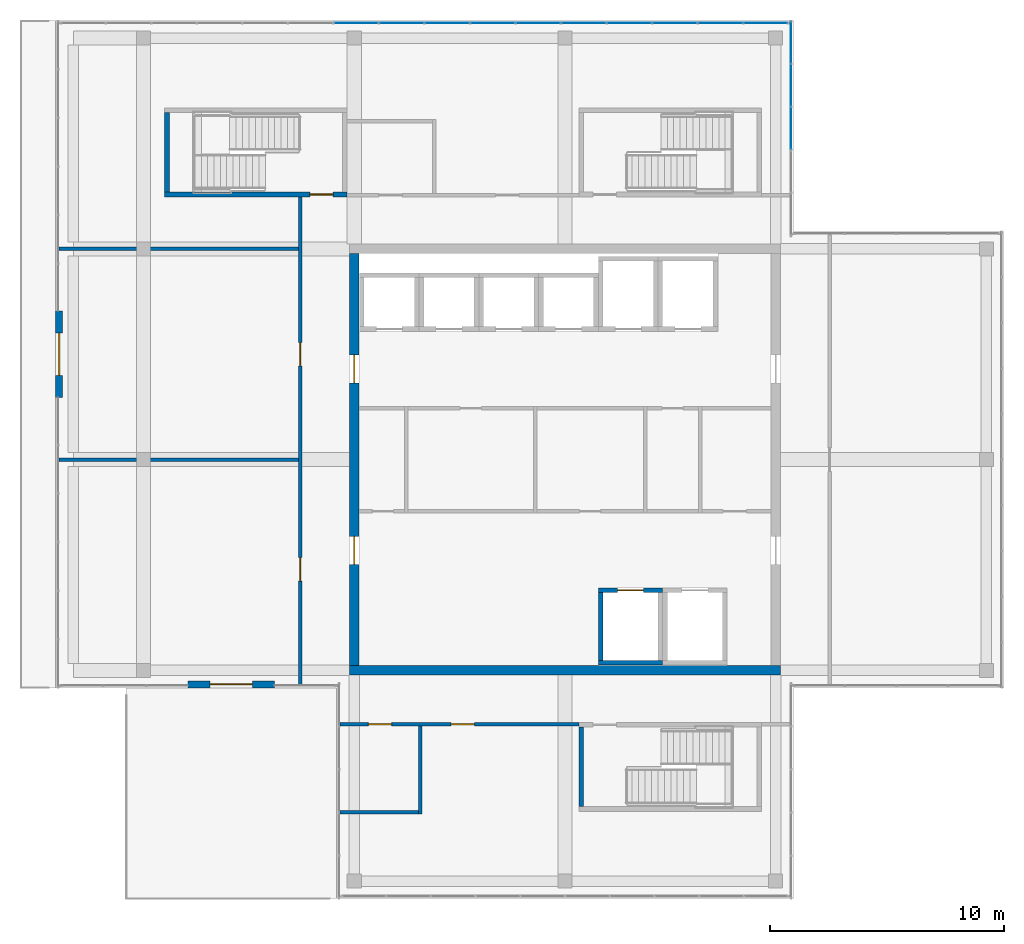
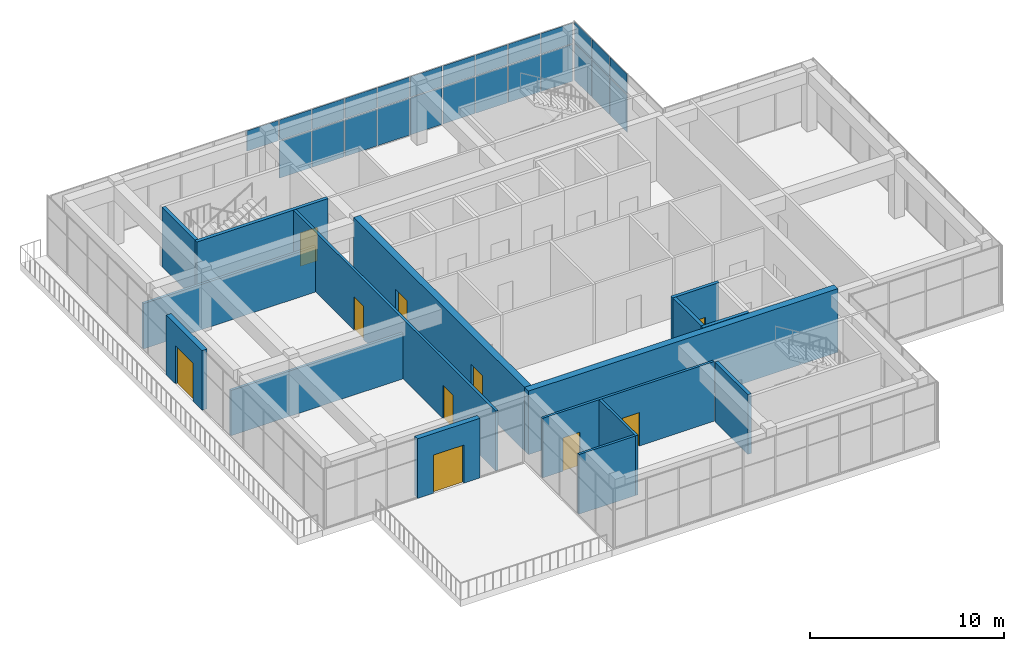
# One storey, part 28 of 32: 25 plates, 16 walls, 10 doors, 10 openings, 2 elements without a shape of their own.
"""IFC4 building model written with IfcOpenShell, lengths in metres."""

from ifc_helpers import new_model, si_unit, direction, frame, frame_2d, origin, origin_2d, place, context, subcontext, project, spatial, rectangle, extrude, material, layer, layer_set, type_object, element, fill, aggregate, save


model = new_model("IFC4")

# Units and contexts
model_context = context("Model", 3, precision=1e-05, world=origin(), true_north=direction((0.0, 1.0)))
body_context = subcontext(model_context, "Body", "Model", "MODEL_VIEW")
ifc_project = project(units=[si_unit("LENGTHUNIT", "METRE"), si_unit("AREAUNIT", "SQUARE_METRE"), si_unit("VOLUMEUNIT", "CUBIC_METRE"), si_unit("PLANEANGLEUNIT", "RADIAN"), si_unit("MASSUNIT", "GRAM", prefix="KILO")], contexts=[model_context])

# Site, building, storey
site_placement = place(None, origin())
site = spatial("IfcSite", under=ifc_project, at=site_placement, CompositionType="ELEMENT")
building_placement = place(site_placement, origin())
building = spatial("IfcBuilding", under=site, at=building_placement, Name="Tuart Plaza Theatre", CompositionType="ELEMENT")
storey_placement = place(building_placement, frame((0.0, 0.0, 41.5)))
storey = spatial("IfcBuildingStorey", under=building, at=storey_placement, Name="L10", CompositionType="ELEMENT", Elevation=41.5)

# Curtain wall, plates
ifc_material_1 = material(Name="Aluminium and glass", Category="aluminium")
ifc_layer_1 = layer(ifc_material_1, 0.10009765625)
ifc_layer_set_1 = layer_set([ifc_layer_1], Name="CURTAIN WALL 2000 module")
curtain_wall_type = type_object("IfcCurtainWallType", Name="CURTAIN WALL 2000 module", PredefinedType="NOTDEFINED", material=ifc_layer_set_1)
curtain_wall_1_placement = place(storey_placement, origin())
curtain_wall_1 = element("IfcCurtainWall", 1, at=curtain_wall_1_placement, inside=storey, type_object=curtain_wall_type, Name="CW104", PredefinedType="NOTDEFINED")
ifc_material_2 = material(Name="Glass", Category="glass")
ifc_layer_2 = layer(ifc_material_2, 0.028076171875)
ifc_layer_set_2 = layer_set([ifc_layer_2], Name="CURTAIN PANEL double glazed 28")
plate_type = type_object("IfcPlateType", Name="CURTAIN PANEL double glazed 28", PredefinedType="CURTAIN_PANEL", material=ifc_layer_set_2)
plate_1_placement = place(storey_placement, frame((141.64990234375, 88.14990234375, 0.0498046875), z_axis=(0.0, 0.0, 1.0), x_axis=(0.0, 1.0, 0.0)))
plate_1 = element("IfcPlate", 2, at=plate_1_placement, type_object=plate_type, Name="CW104 panel 3.1", PredefinedType="CURTAIN_PANEL", context=body_context, shape_type="SweptSolid", body=[
    extrude(rectangle(XDim=1.7900390625, YDim=0.028076171875, at=origin_2d()), origin(), (0.0, 0.0, 1.0), 2.324951171875),
])
plate_2_placement = place(storey_placement, frame((141.64990234375, 88.14990234375, 2.425048828125), z_axis=(0.0, 0.0, 1.0), x_axis=(0.0, 1.0, 0.0)))
plate_2 = element("IfcPlate", 3, at=plate_2_placement, type_object=plate_type, Name="CW104 panel 3.2", PredefinedType="CURTAIN_PANEL", context=body_context, shape_type="SweptSolid", body=[
    extrude(rectangle(XDim=1.7900390625, YDim=0.028076171875, at=origin_2d()), origin(), (0.0, 0.0, 1.0), 1.27490234375),
])
plate_3_placement = place(storey_placement, frame((141.64990234375, 89.989990234375, 0.0498046875), z_axis=(0.0, 0.0, 1.0), x_axis=(0.0, 1.0, 0.0)))
plate_3 = element("IfcPlate", 4, at=plate_3_placement, type_object=plate_type, Name="CW104 panel 4.1", PredefinedType="CURTAIN_PANEL", context=body_context, shape_type="SweptSolid", body=[
    extrude(rectangle(XDim=1.7900390625, YDim=0.028076171875, at=origin_2d()), origin(), (0.0, 0.0, 1.0), 2.324951171875),
])
plate_4_placement = place(storey_placement, frame((141.64990234375, 89.989990234375, 2.425048828125), z_axis=(0.0, 0.0, 1.0), x_axis=(0.0, 1.0, 0.0)))
plate_4 = element("IfcPlate", 5, at=plate_4_placement, type_object=plate_type, Name="CW104 panel 4.2", PredefinedType="CURTAIN_PANEL", context=body_context, shape_type="SweptSolid", body=[
    extrude(rectangle(XDim=1.7900390625, YDim=0.028076171875, at=origin_2d()), origin(), (0.0, 0.0, 1.0), 1.27490234375),
])
plate_5_placement = place(storey_placement, frame((141.64990234375, 91.8173828125, 0.0498046875), z_axis=(0.0, 0.0, 1.0), x_axis=(0.0, 1.0, 0.0)))
plate_5 = element("IfcPlate", 6, at=plate_5_placement, type_object=plate_type, Name="CW104 panel 5.1", PredefinedType="CURTAIN_PANEL", context=body_context, shape_type="SweptSolid", body=[
    extrude(rectangle(XDim=1.764892578125, YDim=0.028076171875, at=origin_2d()), origin(), (0.0, 0.0, 1.0), 2.324951171875),
])
plate_6_placement = place(storey_placement, frame((141.64990234375, 91.8173828125, 2.425048828125), z_axis=(0.0, 0.0, 1.0), x_axis=(0.0, 1.0, 0.0)))
plate_6 = element("IfcPlate", 7, at=plate_6_placement, type_object=plate_type, Name="CW104 panel 5.2", PredefinedType="CURTAIN_PANEL", context=body_context, shape_type="SweptSolid", body=[
    extrude(rectangle(XDim=1.764892578125, YDim=0.028076171875, at=origin_2d()), origin(), (0.0, 0.0, 1.0), 1.27490234375),
])
aggregate(curtain_wall_1, [plate_1, plate_2, plate_3, plate_4, plate_5, plate_6])

curtain_wall_2_placement = place(storey_placement, origin())
curtain_wall_2 = element("IfcCurtainWall", 8, at=curtain_wall_2_placement, inside=storey, type_object=curtain_wall_type, Name="CW105", PredefinedType="NOTDEFINED")
plate_7_placement = place(storey_placement, frame((140.565673828125, 92.64990234375, 0.0498046875), z_axis=(0.0, 0.0, 1.0), x_axis=(-1.0, 0.0, 0.0)))
plate_7 = element("IfcPlate", 9, at=plate_7_placement, type_object=plate_type, Name="CW105 panel 1.1", PredefinedType="CURTAIN_PANEL", context=body_context, shape_type="SweptSolid", body=[
    extrude(rectangle(XDim=1.86865234375, YDim=0.028076171875, at=origin_2d()), origin(), (0.0, 0.0, 1.0), 2.324951171875),
])
plate_8_placement = place(storey_placement, frame((140.565673828125, 92.64990234375, 2.425048828125), z_axis=(0.0, 0.0, 1.0), x_axis=(-1.0, 0.0, 0.0)))
plate_8 = element("IfcPlate", 10, at=plate_8_placement, type_object=plate_type, Name="CW105 panel 1.2", PredefinedType="CURTAIN_PANEL", context=body_context, shape_type="SweptSolid", body=[
    extrude(rectangle(XDim=1.86865234375, YDim=0.028076171875, at=origin_2d()), origin(), (0.0, 0.0, 1.0), 1.27490234375),
])
plate_9_placement = place(storey_placement, frame((138.63427734375, 92.64990234375, 0.0498046875), z_axis=(0.0, 0.0, 1.0), x_axis=(-1.0, 0.0, 0.0)))
plate_9 = element("IfcPlate", 11, at=plate_9_placement, type_object=plate_type, Name="CW105 panel 2.1", PredefinedType="CURTAIN_PANEL", context=body_context, shape_type="SweptSolid", body=[
    extrude(rectangle(XDim=1.893798828125, YDim=0.028076171875, at=origin_2d()), origin(), (0.0, 0.0, 1.0), 2.324951171875),
])
plate_10_placement = place(storey_placement, frame((138.63427734375, 92.64990234375, 2.425048828125), z_axis=(0.0, 0.0, 1.0), x_axis=(-1.0, 0.0, 0.0)))
plate_10 = element("IfcPlate", 12, at=plate_10_placement, type_object=plate_type, Name="CW105 panel 2.2", PredefinedType="CURTAIN_PANEL", context=body_context, shape_type="SweptSolid", body=[
    extrude(rectangle(XDim=1.893798828125, YDim=0.028076171875, at=origin_2d()), origin(), (0.0, 0.0, 1.0), 1.27490234375),
])
plate_11_placement = place(storey_placement, frame((136.690673828125, 92.64990234375, 0.0498046875), z_axis=(0.0, 0.0, 1.0), x_axis=(-1.0, 0.0, 0.0)))
plate_11 = element("IfcPlate", 13, at=plate_11_placement, type_object=plate_type, Name="CW105 panel 3.1", PredefinedType="CURTAIN_PANEL", context=body_context, shape_type="SweptSolid", body=[
    extrude(rectangle(XDim=1.893798828125, YDim=0.028076171875, at=origin_2d()), origin(), (0.0, 0.0, 1.0), 2.324951171875),
])
plate_12_placement = place(storey_placement, frame((136.690673828125, 92.64990234375, 2.425048828125), z_axis=(0.0, 0.0, 1.0), x_axis=(-1.0, 0.0, 0.0)))
plate_12 = element("IfcPlate", 14, at=plate_12_placement, type_object=plate_type, Name="CW105 panel 3.2", PredefinedType="CURTAIN_PANEL", context=body_context, shape_type="SweptSolid", body=[
    extrude(rectangle(XDim=1.893798828125, YDim=0.028076171875, at=origin_2d()), origin(), (0.0, 0.0, 1.0), 1.27490234375),
])
plate_13_placement = place(storey_placement, frame((134.746826171875, 92.64990234375, 0.0498046875), z_axis=(0.0, 0.0, 1.0), x_axis=(-1.0, 0.0, 0.0)))
plate_13 = element("IfcPlate", 15, at=plate_13_placement, type_object=plate_type, Name="CW105 panel 4.1", PredefinedType="CURTAIN_PANEL", context=body_context, shape_type="SweptSolid", body=[
    extrude(rectangle(XDim=1.893798828125, YDim=0.028076171875, at=origin_2d()), origin(), (0.0, 0.0, 1.0), 2.324951171875),
])
plate_14_placement = place(storey_placement, frame((134.746826171875, 92.64990234375, 2.425048828125), z_axis=(0.0, 0.0, 1.0), x_axis=(-1.0, 0.0, 0.0)))
plate_14 = element("IfcPlate", 16, at=plate_14_placement, type_object=plate_type, Name="CW105 panel 4.2", PredefinedType="CURTAIN_PANEL", context=body_context, shape_type="SweptSolid", body=[
    extrude(rectangle(XDim=1.893798828125, YDim=0.028076171875, at=origin_2d()), origin(), (0.0, 0.0, 1.0), 1.27490234375),
])
plate_15_placement = place(storey_placement, frame((132.80322265625, 92.64990234375, 0.0498046875), z_axis=(0.0, 0.0, 1.0), x_axis=(-1.0, 0.0, 0.0)))
plate_15 = element("IfcPlate", 17, at=plate_15_placement, type_object=plate_type, Name="CW105 panel 5.1", PredefinedType="CURTAIN_PANEL", context=body_context, shape_type="SweptSolid", body=[
    extrude(rectangle(XDim=1.893798828125, YDim=0.028076171875, at=origin_2d()), origin(), (0.0, 0.0, 1.0), 2.324951171875),
])
plate_16_placement = place(storey_placement, frame((132.80322265625, 92.64990234375, 2.425048828125), z_axis=(0.0, 0.0, 1.0), x_axis=(-1.0, 0.0, 0.0)))
plate_16 = element("IfcPlate", 18, at=plate_16_placement, type_object=plate_type, Name="CW105 panel 5.2", PredefinedType="CURTAIN_PANEL", context=body_context, shape_type="SweptSolid", body=[
    extrude(rectangle(XDim=1.893798828125, YDim=0.028076171875, at=origin_2d()), origin(), (0.0, 0.0, 1.0), 1.27490234375),
])
plate_17_placement = place(storey_placement, frame((130.859375, 92.64990234375, 0.0498046875), z_axis=(0.0, 0.0, 1.0), x_axis=(-1.0, 0.0, 0.0)))
plate_17 = element("IfcPlate", 19, at=plate_17_placement, type_object=plate_type, Name="CW105 panel 6.1", PredefinedType="CURTAIN_PANEL", context=body_context, shape_type="SweptSolid", body=[
    extrude(rectangle(XDim=1.893798828125, YDim=0.028076171875, at=origin_2d()), origin(), (0.0, 0.0, 1.0), 2.324951171875),
])
plate_18_placement = place(storey_placement, frame((130.859375, 92.64990234375, 2.425048828125), z_axis=(0.0, 0.0, 1.0), x_axis=(-1.0, 0.0, 0.0)))
plate_18 = element("IfcPlate", 20, at=plate_18_placement, type_object=plate_type, Name="CW105 panel 6.2", PredefinedType="CURTAIN_PANEL", context=body_context, shape_type="SweptSolid", body=[
    extrude(rectangle(XDim=1.893798828125, YDim=0.028076171875, at=origin_2d()), origin(), (0.0, 0.0, 1.0), 1.27490234375),
])
plate_19_placement = place(storey_placement, frame((128.91552734375, 92.64990234375, 0.0498046875), z_axis=(0.0, 0.0, 1.0), x_axis=(-1.0, 0.0, 0.0)))
plate_19 = element("IfcPlate", 21, at=plate_19_placement, type_object=plate_type, Name="CW105 panel 7.1", PredefinedType="CURTAIN_PANEL", context=body_context, shape_type="SweptSolid", body=[
    extrude(rectangle(XDim=1.893798828125, YDim=0.028076171875, at=origin_2d()), origin(), (0.0, 0.0, 1.0), 2.324951171875),
])
plate_20_placement = place(storey_placement, frame((128.91552734375, 92.64990234375, 2.425048828125), z_axis=(0.0, 0.0, 1.0), x_axis=(-1.0, 0.0, 0.0)))
plate_20 = element("IfcPlate", 22, at=plate_20_placement, type_object=plate_type, Name="CW105 panel 7.2", PredefinedType="CURTAIN_PANEL", context=body_context, shape_type="SweptSolid", body=[
    extrude(rectangle(XDim=1.893798828125, YDim=0.028076171875, at=origin_2d()), origin(), (0.0, 0.0, 1.0), 1.27490234375),
])
plate_21_placement = place(storey_placement, frame((126.971923828125, 92.64990234375, 0.0498046875), z_axis=(0.0, 0.0, 1.0), x_axis=(-1.0, 0.0, 0.0)))
plate_21 = element("IfcPlate", 23, at=plate_21_placement, type_object=plate_type, Name="CW105 panel 8.1", PredefinedType="CURTAIN_PANEL", context=body_context, shape_type="SweptSolid", body=[
    extrude(rectangle(XDim=1.893798828125, YDim=0.028076171875, at=origin_2d()), origin(), (0.0, 0.0, 1.0), 2.324951171875),
])
plate_22_placement = place(storey_placement, frame((126.971923828125, 92.64990234375, 2.425048828125), z_axis=(0.0, 0.0, 1.0), x_axis=(-1.0, 0.0, 0.0)))
plate_22 = element("IfcPlate", 24, at=plate_22_placement, type_object=plate_type, Name="CW105 panel 8.2", PredefinedType="CURTAIN_PANEL", context=body_context, shape_type="SweptSolid", body=[
    extrude(rectangle(XDim=1.893798828125, YDim=0.028076171875, at=origin_2d()), origin(), (0.0, 0.0, 1.0), 1.27490234375),
])
plate_23_placement = place(storey_placement, frame((125.028076171875, 92.64990234375, 0.0498046875), z_axis=(0.0, 0.0, 1.0), x_axis=(-1.0, 0.0, 0.0)))
plate_23 = element("IfcPlate", 25, at=plate_23_placement, type_object=plate_type, Name="CW105 panel 9.1", PredefinedType="CURTAIN_PANEL", context=body_context, shape_type="SweptSolid", body=[
    extrude(rectangle(XDim=1.893798828125, YDim=0.028076171875, at=origin_2d()), origin(), (0.0, 0.0, 1.0), 2.324951171875),
])
plate_24_placement = place(storey_placement, frame((125.028076171875, 92.64990234375, 2.425048828125), z_axis=(0.0, 0.0, 1.0), x_axis=(-1.0, 0.0, 0.0)))
plate_24 = element("IfcPlate", 26, at=plate_24_placement, type_object=plate_type, Name="CW105 panel 9.2", PredefinedType="CURTAIN_PANEL", context=body_context, shape_type="SweptSolid", body=[
    extrude(rectangle(XDim=1.893798828125, YDim=0.028076171875, at=origin_2d()), origin(), (0.0, 0.0, 1.0), 1.27490234375),
])
plate_25_placement = place(storey_placement, frame((123.08447265625, 92.64990234375, 2.425048828125), z_axis=(0.0, 0.0, 1.0), x_axis=(-1.0, 0.0, 0.0)))
plate_25 = element("IfcPlate", 27, at=plate_25_placement, type_object=plate_type, Name="CW105 panel 10.2", PredefinedType="CURTAIN_PANEL", context=body_context, shape_type="SweptSolid", body=[
    extrude(rectangle(XDim=1.893798828125, YDim=0.028076171875, at=origin_2d()), origin(), (0.0, 0.0, 1.0), 1.27490234375),
])
aggregate(curtain_wall_2, [plate_7, plate_8, plate_9, plate_10, plate_11, plate_12, plate_13, plate_14, plate_15, plate_16, plate_17, plate_18, plate_19, plate_20, plate_21, plate_22, plate_23, plate_24, plate_25])

# Wall, openings, doors
ifc_material_3 = material(Name="Masonry block", Category="masonry")
ifc_layer_3 = layer(ifc_material_3, 0.14990234375)
ifc_layer_set_3 = layer_set([ifc_layer_3], Name="PARTITION BLK150 MASONRYB FRL 120/-/-")
wall_type_1 = type_object("IfcWallType", Name="PARTITION BLK150 MASONRYB FRL 120/-/-", PredefinedType="PARTITIONING", material=ifc_layer_set_3)
wall_1_placement = place(storey_placement, frame((132.60009765625, 62.699951171875, 0.0), z_axis=(0.0, 0.0, 1.0), x_axis=(-1.0, 0.0, 0.0)))
wall_1 = element("IfcWall", 28, at=wall_1_placement, inside=storey, type_object=wall_type_1, Name="P680", PredefinedType="PARTITIONING", context=body_context, shape_type="SweptSolid", body=[
    extrude(rectangle(XDim=10.2001953125, YDim=0.14990234375, at=frame_2d((5.10009765625, 0.0))), origin(), (0.0, 0.0, 1.0), 3.75),
])
opening_1_placement = place(wall_1_placement, frame((8.0, 0.0, 0.0)))
opening_1 = element("IfcOpeningElement", 29, at=opening_1_placement, cuts=wall_1, Name="Opening L10-023", PredefinedType="OPENING", context=body_context, shape_type="SweptSolid", body=[
    extrude(rectangle(XDim=1.0, YDim=2.10009765625, at=frame_2d((0.5, 1.050048828125))), frame((0.0, 0.0849609375, 0.0), z_axis=(0.0, -1.0, 0.0), x_axis=(1.0, 0.0, 0.0)), (0.0, 0.0, 1.0), 0.169921875),
])
opening_2_placement = place(wall_1_placement, frame((4.465087890625, 0.0, 0.0)))
opening_2 = element("IfcOpeningElement", 30, at=opening_2_placement, cuts=wall_1, Name="Opening L10-025", PredefinedType="OPENING", context=body_context, shape_type="SweptSolid", body=[
    extrude(rectangle(XDim=1.0, YDim=2.10009765625, at=frame_2d((0.5, 1.050048828125))), frame((0.0, 0.0849609375, 0.0), z_axis=(0.0, -1.0, 0.0), x_axis=(1.0, 0.0, 0.0)), (0.0, 0.0, 1.0), 0.169921875),
])
ifc_material_4 = material(Name="Timber", Category="wood")
door_type_1 = type_object("IfcDoorType", Name="DOOR 1000x2100 timber single swing FRL -/60/30", OperationType="SINGLE_SWING_LEFT", PredefinedType="DOOR", material=ifc_material_4)
door_1_placement = place(opening_1_placement, origin())
door_1 = element("IfcDoor", 31, at=door_1_placement, inside=storey, type_object=door_type_1, Name="L10-023", OperationType="SINGLE_SWING_RIGHT", OverallHeight=2.10009765625, OverallWidth=1.0, PredefinedType="DOOR", context=body_context, shape_type="SweptSolid", body=[
    extrude(rectangle(XDim=1.0, YDim=2.10009765625, at=frame_2d((0.5, 1.050048828125))), frame((0.0, 0.02490234375, 0.0), z_axis=(0.0, -1.0, 0.0), x_axis=(1.0, 0.0, 0.0)), (0.0, 0.0, 1.0), 0.050048828125),
])
fill(opening_1, door_1)
door_2_placement = place(opening_2_placement, origin())
door_2 = element("IfcDoor", 32, at=door_2_placement, inside=storey, type_object=door_type_1, Name="L10-025", OperationType="SINGLE_SWING_LEFT", OverallHeight=2.10009765625, OverallWidth=1.0, PredefinedType="DOOR", context=body_context, shape_type="SweptSolid", body=[
    extrude(rectangle(XDim=1.0, YDim=2.10009765625, at=frame_2d((0.5, 1.050048828125))), frame((0.0, 0.02490234375, 0.0), z_axis=(0.0, -1.0, 0.0), x_axis=(1.0, 0.0, 0.0)), (0.0, 0.0, 1.0), 0.050048828125),
])
fill(opening_2, door_2)

wall_2_placement = place(storey_placement, frame((120.699951171875, 64.39990234375, 0.0), z_axis=(0.0, 0.0, 1.0), x_axis=(0.0, 1.0, 0.0)))
wall_2 = element("IfcWall", 33, at=wall_2_placement, inside=storey, type_object=wall_type_1, Name="P682", PredefinedType="PARTITIONING", context=body_context, shape_type="SweptSolid", body=[
    extrude(rectangle(XDim=20.8251953125, YDim=0.14990234375, at=frame_2d((10.41259765625, 0.0))), origin(), (0.0, 0.0, 1.0), 3.75),
])
opening_3_placement = place(wall_2_placement, frame((4.41259765625, 0.0, 0.0)))
opening_3 = element("IfcOpeningElement", 34, at=opening_3_placement, cuts=wall_2, Name="Opening L10-026", PredefinedType="OPENING", context=body_context, shape_type="SweptSolid", body=[
    extrude(rectangle(XDim=1.0, YDim=2.10009765625, at=frame_2d((0.5, 1.050048828125))), frame((0.0, 0.0849609375, 0.0), z_axis=(0.0, -1.0, 0.0), x_axis=(1.0, 0.0, 0.0)), (0.0, 0.0, 1.0), 0.169921875),
])
opening_4_placement = place(wall_2_placement, frame((13.60009765625, 0.0, 0.0)))
opening_4 = element("IfcOpeningElement", 35, at=opening_4_placement, cuts=wall_2, Name="Opening L10-028", PredefinedType="OPENING", context=body_context, shape_type="SweptSolid", body=[
    extrude(rectangle(XDim=1.0, YDim=2.10009765625, at=frame_2d((0.5, 1.050048828125))), frame((0.0, 0.0849609375, 0.0), z_axis=(0.0, -1.0, 0.0), x_axis=(1.0, 0.0, 0.0)), (0.0, 0.0, 1.0), 0.169921875),
])
door_3_placement = place(opening_3_placement, origin())
door_3 = element("IfcDoor", 36, at=door_3_placement, inside=storey, type_object=door_type_1, Name="L10-026", OperationType="SINGLE_SWING_RIGHT", OverallHeight=2.10009765625, OverallWidth=1.0, PredefinedType="DOOR", context=body_context, shape_type="SweptSolid", body=[
    extrude(rectangle(XDim=1.0, YDim=2.10009765625, at=frame_2d((0.5, 1.050048828125))), frame((0.0, 0.02490234375, 0.0), z_axis=(0.0, -1.0, 0.0), x_axis=(1.0, 0.0, 0.0)), (0.0, 0.0, 1.0), 0.050048828125),
])
fill(opening_3, door_3)
door_4_placement = place(opening_4_placement, origin())
door_4 = element("IfcDoor", 37, at=door_4_placement, inside=storey, type_object=door_type_1, Name="L10-028", OperationType="SINGLE_SWING_LEFT", OverallHeight=2.10009765625, OverallWidth=1.0, PredefinedType="DOOR", context=body_context, shape_type="SweptSolid", body=[
    extrude(rectangle(XDim=1.0, YDim=2.10009765625, at=frame_2d((0.5, 1.050048828125))), frame((0.0, 0.02490234375, 0.0), z_axis=(0.0, -1.0, 0.0), x_axis=(1.0, 0.0, 0.0)), (0.0, 0.0, 1.0), 0.050048828125),
])
fill(opening_4, door_4)

# Walls
for number, where, z_axis, x_axis, name in (
    (38, (110.39990234375, 74.0, 0.0), (0.0, 0.0, 1.0), (1.0, 0.0, 0.0), "P686"),
    (39, (110.39990234375, 83.0, 0.0), (0.0, 0.0, 1.0), (1.0, 0.0, 0.0), "P687"),
):
    element("IfcWall", number, at=place(storey_placement, frame(where, z_axis=z_axis, x_axis=x_axis)), inside=storey, type_object=wall_type_1, Name=name, PredefinedType="PARTITIONING", context=body_context, shape_type="SweptSolid", body=[
        extrude(rectangle(XDim=10.22607421875, YDim=0.14990234375, at=frame_2d((5.113037109375, 0.0))), origin(), (0.0, 0.0, 1.0), 2.85009765625),
    ])
wall_3_placement = place(storey_placement, frame((122.39990234375, 58.949951171875, 0.0), z_axis=(0.0, 0.0, 1.0), x_axis=(1.0, 0.0, 0.0)))
element("IfcWall", 40, at=wall_3_placement, inside=storey, type_object=wall_type_1, Name="P688", PredefinedType="PARTITIONING", context=body_context, shape_type="SweptSolid", body=[
    extrude(rectangle(XDim=3.35009765625, YDim=0.14990234375, at=frame_2d((1.675048828125, 0.0))), origin(), (0.0, 0.0, 1.0), 3.75),
])
wall_4_placement = place(storey_placement, frame((125.824951171875, 62.625, 0.0), z_axis=(0.0, 0.0, 1.0), x_axis=(0.0, -1.0, 0.0)))
element("IfcWall", 41, at=wall_4_placement, inside=storey, type_object=wall_type_1, Name="P689", PredefinedType="PARTITIONING", context=body_context, shape_type="SweptSolid", body=[
    extrude(rectangle(XDim=3.75, YDim=0.14990234375, at=frame_2d((1.875, 0.0))), origin(), (0.0, 0.0, 1.0), 3.75),
])
ifc_material_5 = material(Name="Concrete N40 (40 MPa)", Category="concrete")
ifc_layer_4 = layer(ifc_material_5, 0.199951171875)
ifc_layer_set_4 = layer_set([ifc_layer_4], Name="SHEAR WALL RC200 FRL 120/120/120")
wall_type_2 = type_object("IfcWallType", Name="SHEAR WALL RC200 FRL 120/120/120", PredefinedType="SHEAR", material=ifc_layer_set_4)
wall_5_placement = place(storey_placement, frame((133.425048828125, 65.324951171875, 0.0), z_axis=(0.0, 0.0, 1.0), x_axis=(1.0, 0.0, 0.0)))
element("IfcWall", 42, at=wall_5_placement, inside=storey, type_object=wall_type_2, Name="W1054", PredefinedType="SHEAR", context=body_context, shape_type="SweptSolid", body=[
    extrude(rectangle(XDim=2.75, YDim=0.199951171875, at=frame_2d((1.375, 0.0))), origin(), (0.0, 0.0, 1.0), 4.0),
])

# Wall, opening, door
wall_6_placement = place(storey_placement, frame((136.175048828125, 68.425048828125, 0.0), z_axis=(0.0, 0.0, 1.0), x_axis=(-1.0, 0.0, 0.0)))
wall_6 = element("IfcWall", 43, at=wall_6_placement, inside=storey, type_object=wall_type_2, Name="W1056", PredefinedType="SHEAR", context=body_context, shape_type="SweptSolid", body=[
    extrude(rectangle(XDim=2.75, YDim=0.199951171875, at=frame_2d((1.375, 0.0))), origin(), (0.0, 0.0, 1.0), 4.0),
])
opening_5_placement = place(wall_6_placement, frame((0.824951171875, 0.0, 0.0)))
opening_5 = element("IfcOpeningElement", 44, at=opening_5_placement, cuts=wall_6, Name="Opening L10-007", PredefinedType="OPENING", context=body_context, shape_type="SweptSolid", body=[
    extrude(rectangle(XDim=1.10009765625, YDim=2.10009765625, at=frame_2d((0.550048828125, 1.050048828125))), frame((0.0, 0.10986328125, 0.0), z_axis=(0.0, -1.0, 0.0), x_axis=(1.0, 0.0, 0.0)), (0.0, 0.0, 1.0), 0.219970703125),
])
ifc_material_6 = material(Name="Steel Grade 300", Category="steel")
door_type_2 = type_object("IfcDoorType", Name="LANDING DOOR 1100x2100 steel sliding FRL -/120/30", OperationType="SLIDING_TO_LEFT", PredefinedType="DOOR", material=ifc_material_6)
door_5_placement = place(opening_5_placement, origin())
door_5 = element("IfcDoor", 45, at=door_5_placement, inside=storey, type_object=door_type_2, Name="L10-007", OperationType="SLIDING_TO_LEFT", OverallHeight=2.10009765625, OverallWidth=1.10009765625, PredefinedType="DOOR", context=body_context, shape_type="SweptSolid", body=[
    extrude(rectangle(XDim=1.10009765625, YDim=2.10009765625, at=frame_2d((0.550048828125, 1.050048828125))), frame((0.0, 0.02490234375, 0.0), z_axis=(0.0, -1.0, 0.0), x_axis=(1.0, 0.0, 0.0)), (0.0, 0.0, 1.0), 0.050048828125),
])
fill(opening_5, door_5)

# Walls
wall_7_placement = place(storey_placement, frame((133.52490234375, 68.324951171875, 0.0), z_axis=(0.0, 0.0, 1.0), x_axis=(0.0, -1.0, 0.0)))
element("IfcWall", 46, at=wall_7_placement, inside=storey, type_object=wall_type_2, Name="W1057", PredefinedType="SHEAR", context=body_context, shape_type="SweptSolid", body=[
    extrude(rectangle(XDim=2.89990234375, YDim=0.199951171875, at=frame_2d((1.449951171875, 0.0))), origin(), (0.0, 0.0, 1.0), 4.0),
])
wall_8_placement = place(storey_placement, frame((132.699951171875, 62.574951171875, 0.0), z_axis=(0.0, 0.0, 1.0), x_axis=(0.0, -1.0, 0.0)))
element("IfcWall", 47, at=wall_8_placement, inside=storey, type_object=wall_type_2, Name="P411", PredefinedType="SHEAR", context=body_context, shape_type="SweptSolid", body=[
    extrude(rectangle(XDim=3.39990234375, YDim=0.199951171875, at=frame_2d((1.699951171875, 0.0))), origin(), (0.0, 0.0, 1.0), 3.75),
])

# Wall, opening, door
wall_9_placement = place(storey_placement, frame((114.89990234375, 85.324951171875, 0.0), z_axis=(0.0, 0.0, 1.0), x_axis=(1.0, 0.0, 0.0)))
wall_9 = element("IfcWall", 48, at=wall_9_placement, inside=storey, type_object=wall_type_2, Name="P464", PredefinedType="SHEAR", context=body_context, shape_type="SweptSolid", body=[
    extrude(rectangle(XDim=7.800048828125, YDim=0.199951171875, at=frame_2d((3.89990234375, 0.0))), origin(), (0.0, 0.0, 1.0), 3.75),
])
opening_6_placement = place(wall_9_placement, frame((6.199951171875, 0.0, 0.0)))
opening_6 = element("IfcOpeningElement", 49, at=opening_6_placement, cuts=wall_9, Name="Opening L10-013", PredefinedType="OPENING", context=body_context, shape_type="SweptSolid", body=[
    extrude(rectangle(XDim=1.0, YDim=2.10009765625, at=frame_2d((0.5, 1.050048828125))), frame((0.0, 0.10986328125, 0.0), z_axis=(0.0, -1.0, 0.0), x_axis=(1.0, 0.0, 0.0)), (0.0, 0.0, 1.0), 0.219970703125),
])
ifc_material_7 = material(Name="Steel Grade 300", Category="steel")
door_type_3 = type_object("IfcDoorType", Name="DOOR 1000x2100 steel single swing FRL -/120/30", OperationType="SINGLE_SWING_LEFT", PredefinedType="DOOR", material=ifc_material_7)
door_6_placement = place(opening_6_placement, origin())
door_6 = element("IfcDoor", 50, at=door_6_placement, inside=storey, type_object=door_type_3, Name="L10-013", OperationType="SINGLE_SWING_LEFT", OverallHeight=2.10009765625, OverallWidth=1.0, PredefinedType="DOOR", context=body_context, shape_type="SweptSolid", body=[
    extrude(rectangle(XDim=1.0, YDim=2.10009765625, at=frame_2d((0.5, 1.050048828125))), frame((0.0, 0.02490234375, 0.0), z_axis=(0.0, -1.0, 0.0), x_axis=(1.0, 0.0, 0.0)), (0.0, 0.0, 1.0), 0.050048828125),
])
fill(opening_6, door_6)

# Walls
wall_10_placement = place(storey_placement, frame((115.0, 88.824951171875, 0.0), z_axis=(0.0, 0.0, 1.0), x_axis=(0.0, -1.0, 0.0)))
element("IfcWall", 51, at=wall_10_placement, inside=storey, type_object=wall_type_2, Name="P467", PredefinedType="SHEAR", context=body_context, shape_type="SweptSolid", body=[
    extrude(rectangle(XDim=3.39990234375, YDim=0.199951171875, at=frame_2d((1.699951171875, 0.0))), origin(), (0.0, 0.0, 1.0), 3.75),
])
ifc_material_8 = material(Name="Concrete N50 (50 MPa)", Category="concrete")
ifc_layer_5 = layer(ifc_material_8, 0.39990234375)
ifc_layer_set_5 = layer_set([ifc_layer_5], Name="SHEAR WALL RC400 N50 FRL 120/120/120")
wall_type_3 = type_object("IfcWallType", Name="SHEAR WALL RC400 N50 FRL 120/120/120", PredefinedType="SHEAR", material=ifc_layer_set_5)
wall_11_placement = place(storey_placement, frame((122.800048828125, 65.0, 0.0), z_axis=(0.0, 0.0, 1.0), x_axis=(1.0, 0.0, 0.0)))
element("IfcWall", 52, at=wall_11_placement, inside=storey, type_object=wall_type_3, Name="W411", PredefinedType="SHEAR", context=body_context, shape_type="SweptSolid", body=[
    extrude(rectangle(XDim=18.39990234375, YDim=0.39990234375, at=frame_2d((9.199951171875, 0.0))), origin(), (0.0, 0.0, 1.0), 4.0),
])

# Wall, openings, doors
wall_12_placement = place(storey_placement, frame((123.0, 82.800048828125, 0.0), z_axis=(0.0, 0.0, 1.0), x_axis=(0.0, -1.0, 0.0)))
wall_12 = element("IfcWall", 53, at=wall_12_placement, inside=storey, type_object=wall_type_3, Name="W414", PredefinedType="SHEAR", context=body_context, shape_type="SweptSolid", body=[
    extrude(rectangle(XDim=17.60009765625, YDim=0.39990234375, at=frame_2d((8.800048828125, 0.0))), origin(), (0.0, 0.0, 1.0), 4.0),
])
opening_7_placement = place(wall_12_placement, frame((12.074951171875, 0.0, 0.0)))
opening_7 = element("IfcOpeningElement", 54, at=opening_7_placement, cuts=wall_12, Name="Opening L10-014", PredefinedType="OPENING", context=body_context, shape_type="SweptSolid", body=[
    extrude(rectangle(XDim=1.199951171875, YDim=2.10009765625, at=frame_2d((0.60009765625, 1.050048828125))), frame((0.0, 0.2099609375, 0.0), z_axis=(0.0, -1.0, 0.0), x_axis=(1.0, 0.0, 0.0)), (0.0, 0.0, 1.0), 0.419921875),
])
opening_8_placement = place(wall_12_placement, frame((4.324951171875, 0.0, 0.0)))
opening_8 = element("IfcOpeningElement", 55, at=opening_8_placement, cuts=wall_12, Name="Opening L10-016", PredefinedType="OPENING", context=body_context, shape_type="SweptSolid", body=[
    extrude(rectangle(XDim=1.199951171875, YDim=2.10009765625, at=frame_2d((0.60009765625, 1.050048828125))), frame((0.0, 0.2099609375, 0.0), z_axis=(0.0, -1.0, 0.0), x_axis=(1.0, 0.0, 0.0)), (0.0, 0.0, 1.0), 0.419921875),
])
ifc_material_9 = material(Name="Steel Grade 300", Category="steel")
door_type_4 = type_object("IfcDoorType", Name="DOOR 1200x2100 steel single swing FRL -/120/30", OperationType="SINGLE_SWING_LEFT", PredefinedType="DOOR", material=ifc_material_9)
door_7_placement = place(opening_7_placement, frame((1.199951171875, 0.0, 0.0), z_axis=(0.0, 0.0, 1.0), x_axis=(-1.0, 0.0, 0.0)))
door_7 = element("IfcDoor", 56, at=door_7_placement, inside=storey, type_object=door_type_4, Name="L10-014", OperationType="SINGLE_SWING_RIGHT", OverallHeight=2.10009765625, OverallWidth=1.199951171875, PredefinedType="DOOR", context=body_context, shape_type="SweptSolid", body=[
    extrude(rectangle(XDim=1.199951171875, YDim=2.10009765625, at=frame_2d((0.60009765625, 1.050048828125))), frame((0.0, 0.02490234375, 0.0), z_axis=(0.0, -1.0, 0.0), x_axis=(1.0, 0.0, 0.0)), (0.0, 0.0, 1.0), 0.050048828125),
])
fill(opening_7, door_7)
door_8_placement = place(opening_8_placement, frame((1.199951171875, 0.0, 0.0), z_axis=(0.0, 0.0, 1.0), x_axis=(-1.0, 0.0, 0.0)))
door_8 = element("IfcDoor", 57, at=door_8_placement, inside=storey, type_object=door_type_4, Name="L10-016", OperationType="SINGLE_SWING_LEFT", OverallHeight=2.10009765625, OverallWidth=1.199951171875, PredefinedType="DOOR", context=body_context, shape_type="SweptSolid", body=[
    extrude(rectangle(XDim=1.199951171875, YDim=2.10009765625, at=frame_2d((0.60009765625, 1.050048828125))), frame((0.0, 0.02490234375, 0.0), z_axis=(0.0, -1.0, 0.0), x_axis=(1.0, 0.0, 0.0)), (0.0, 0.0, 1.0), 0.050048828125),
])
fill(opening_8, door_8)

# Wall, opening, door
ifc_material_10 = material(Name="Concrete N40 (40 MPa)", Category="concrete")
ifc_layer_6 = layer(ifc_material_10, 0.300048828125)
ifc_layer_set_6 = layer_set([ifc_layer_6], Name="WALL RC300 EXT clad")
wall_type_4 = type_object("IfcWallType", Name="WALL RC300 EXT clad", PredefinedType="SOLIDWALL", material=ifc_layer_set_6)
wall_13_placement = place(storey_placement, frame((110.39990234375, 80.35009765625, 0.0), z_axis=(0.0, 0.0, 1.0), x_axis=(0.0, -1.0, 0.0)))
wall_13 = element("IfcWall", 58, at=wall_13_placement, inside=storey, type_object=wall_type_4, Name="P129", PredefinedType="SOLIDWALL", context=body_context, shape_type="SweptSolid", body=[
    extrude(rectangle(XDim=3.7001953125, YDim=0.300048828125, at=frame_2d((1.85009765625, 0.0))), origin(), (0.0, 0.0, 1.0), 3.75),
])
opening_9_placement = place(wall_13_placement, frame((0.949951171875, 0.0, 0.0)))
opening_9 = element("IfcOpeningElement", 59, at=opening_9_placement, cuts=wall_13, Name="Opening L10-001", PredefinedType="OPENING", context=body_context, shape_type="SweptSolid", body=[
    extrude(rectangle(XDim=1.800048828125, YDim=2.39990234375, at=frame_2d((0.89990234375, 1.199951171875))), frame((0.0, 0.159912109375, 0.0), z_axis=(0.0, -1.0, 0.0), x_axis=(1.0, 0.0, 0.0)), (0.0, 0.0, 1.0), 0.320068359375),
])
ifc_material_11 = material(Name="Aluminium", Category="aluminium")
door_type_5 = type_object("IfcDoorType", Name="DOOR 1800x2400 aluminium double swing glazed", OperationType="DOUBLE_DOOR_SINGLE_SWING", PredefinedType="DOOR", material=ifc_material_11)
door_9_placement = place(opening_9_placement, frame((1.800048828125, 0.0, 0.0), z_axis=(0.0, 0.0, 1.0), x_axis=(-1.0, 0.0, 0.0)))
door_9 = element("IfcDoor", 60, at=door_9_placement, inside=storey, type_object=door_type_5, Name="L10-001", OperationType="DOUBLE_DOOR_SINGLE_SWING", OverallHeight=2.39990234375, OverallWidth=1.800048828125, PredefinedType="DOOR", context=body_context, shape_type="SweptSolid", body=[
    extrude(rectangle(XDim=1.800048828125, YDim=2.39990234375, at=frame_2d((0.89990234375, 1.199951171875))), frame((0.0, 0.02490234375, 0.0), z_axis=(0.0, -1.0, 0.0), x_axis=(1.0, 0.0, 0.0)), (0.0, 0.0, 1.0), 0.050048828125),
])
fill(opening_9, door_9)

wall_14_placement = place(storey_placement, frame((115.89990234375, 64.39990234375, 0.0), z_axis=(0.0, 0.0, 1.0), x_axis=(1.0, 0.0, 0.0)))
wall_14 = element("IfcWall", 61, at=wall_14_placement, inside=storey, type_object=wall_type_4, Name="P130", PredefinedType="SOLIDWALL", context=body_context, shape_type="SweptSolid", body=[
    extrude(rectangle(XDim=3.7001953125, YDim=0.300048828125, at=frame_2d((1.85009765625, 0.0))), origin(), (0.0, 0.0, 1.0), 3.75),
])
opening_10_placement = place(wall_14_placement, frame((0.949951171875, 0.0, 0.0)))
opening_10 = element("IfcOpeningElement", 62, at=opening_10_placement, cuts=wall_14, Name="Opening L10-002", PredefinedType="OPENING", context=body_context, shape_type="SweptSolid", body=[
    extrude(rectangle(XDim=1.800048828125, YDim=2.39990234375, at=frame_2d((0.89990234375, 1.199951171875))), frame((0.0, 0.159912109375, 0.0), z_axis=(0.0, -1.0, 0.0), x_axis=(1.0, 0.0, 0.0)), (0.0, 0.0, 1.0), 0.320068359375),
])
door_10_placement = place(opening_10_placement, frame((1.800048828125, 0.0, 0.0), z_axis=(0.0, 0.0, 1.0), x_axis=(-1.0, 0.0, 0.0)))
door_10 = element("IfcDoor", 63, at=door_10_placement, inside=storey, type_object=door_type_5, Name="L10-002", OperationType="DOUBLE_DOOR_SINGLE_SWING", OverallHeight=2.39990234375, OverallWidth=1.800048828125, PredefinedType="DOOR", context=body_context, shape_type="SweptSolid", body=[
    extrude(rectangle(XDim=1.800048828125, YDim=2.39990234375, at=frame_2d((0.89990234375, 1.199951171875))), frame((0.0, 0.02490234375, 0.0), z_axis=(0.0, -1.0, 0.0), x_axis=(1.0, 0.0, 0.0)), (0.0, 0.0, 1.0), 0.050048828125),
])
fill(opening_10, door_10)

save(model, "model.ifc")
